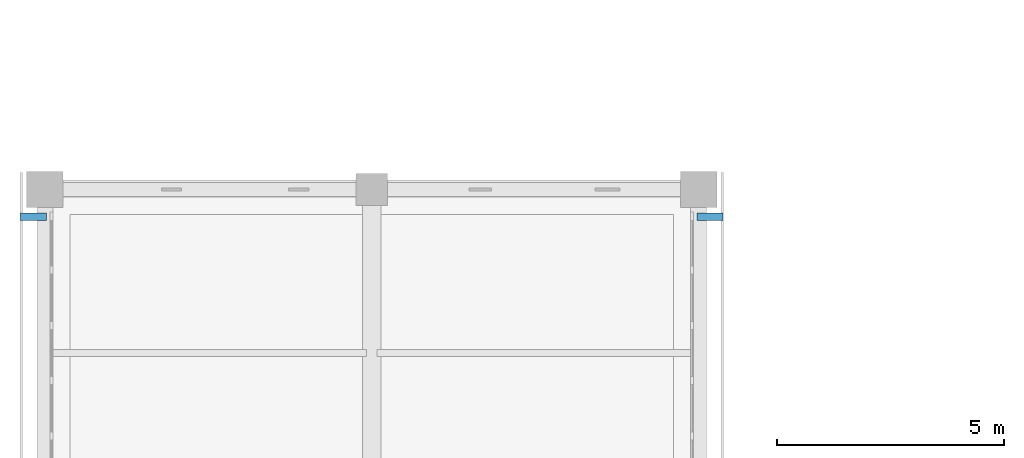
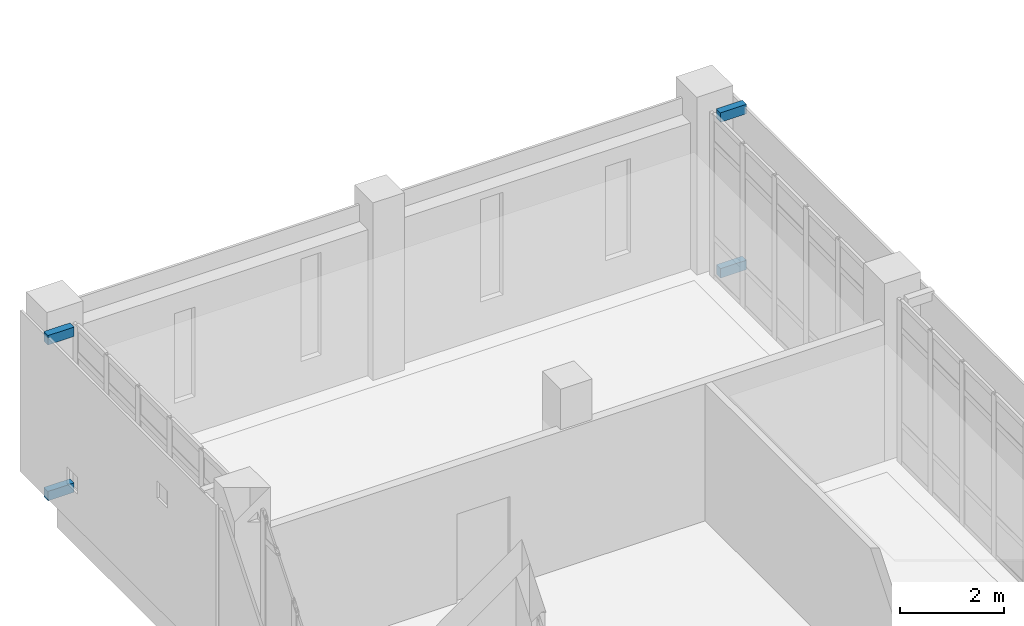
# One storey, part 28 of 33: 4 discrete accessories.
"""IFC4 building model written with IfcOpenShell, lengths in metres."""

import ifcopenshell
import ifcopenshell.guid

model = None  # the IFC model being written
_history = None  # IfcOwnerHistory: only IFC2X3 demands one
_inside = {}  # id of a spatial element -> (the spatial element, [elements in it])
_under = {}  # id of a project, library or spatial element -> (it, [spatial elements below it])
_declared = {}  # id of a project -> (the project, [libraries it declares])
_typed = {}  # id of a type object -> (the type object, [elements of that type])
_made_of = {}  # id of a material, layer set ... -> (it, [elements and type objects made of it])


def new_model(schema):
    """Start an empty IFC model of exactly this schema.

    Asked for "IFC4X3", IfcOpenShell would pick the latest addendum, in which some entities
    have other attributes; the version numbers below select the first issue.
    IFC2X3 requires an IfcOwnerHistory on every rooted entity: one is made here for all.
    """
    global model, _history
    if schema == "IFC4X3":
        model = ifcopenshell.file(schema_version=(4, 3, 0, 0))
    else:
        model = ifcopenshell.file(schema=schema)
    _inside.clear()
    _under.clear()
    _declared.clear()
    _typed.clear()
    _made_of.clear()
    _history = None
    if model.schema == "IFC2X3":
        org = make("IfcOrganization", Name="unknown")
        user = make(
            "IfcPersonAndOrganization",
            ThePerson=make("IfcPerson", FamilyName="unknown"),
            TheOrganization=org,
        )
        app = make(
            "IfcApplication",
            ApplicationDeveloper=org,
            Version="unknown",
            ApplicationFullName="unknown",
            ApplicationIdentifier="unknown",
        )
        _history = make(
            "IfcOwnerHistory",
            OwningUser=user,
            OwningApplication=app,
            ChangeAction="ADDED",
            CreationDate=0,
        )
    return model


def make(cls, **values):
    """One entity of the class cls with the attributes given. An attribute that is None is left unset."""
    return model.create_entity(
        cls, **{name: value for name, value in values.items() if value is not None}
    )


def rooted(cls, **values):
    """An entity with a GlobalId (a new one), such as an element, a storey or a relation."""
    return make(cls, GlobalId=ifcopenshell.guid.new(), OwnerHistory=_history, **values)


def si_unit(unit_type, name, prefix=None):
    """IfcSIUnit, for example si_unit("LENGTHUNIT", "METRE", prefix="MILLI")."""
    return make("IfcSIUnit", UnitType=unit_type, Prefix=prefix, Name=name)


def assignment(units):
    """IfcUnitAssignment: the units of a project."""
    return None if units is None else make("IfcUnitAssignment", Units=units)


def point(xyz):
    """IfcCartesianPoint."""
    return None if xyz is None else make("IfcCartesianPoint", Coordinates=xyz)


def direction(xyz):
    """IfcDirection."""
    return None if xyz is None else make("IfcDirection", DirectionRatios=xyz)


def frame(location, z_axis=None, x_axis=None):
    """IfcAxis2Placement3D, a coordinate frame: its origin and axes. An axis left out is left unset."""
    return make(
        "IfcAxis2Placement3D",
        Location=point(location),
        Axis=direction(z_axis),
        RefDirection=direction(x_axis),
    )


def frame_2d(location, x_axis=None):
    """IfcAxis2Placement2D, a coordinate frame in the plane: its origin and x axis."""
    return make(
        "IfcAxis2Placement2D", Location=point(location), RefDirection=direction(x_axis)
    )


def origin():
    """The frame at (0, 0, 0) with its axes left unset."""
    return frame((0.0, 0.0, 0.0))


def origin_2d():
    """The frame at (0, 0) in the plane with its x axis left unset."""
    return frame_2d((0.0, 0.0))


def place(relative_to, where):
    """IfcLocalPlacement: puts the frame where relative to a parent placement (None: the world)."""
    return make(
        "IfcLocalPlacement", PlacementRelTo=relative_to, RelativePlacement=where
    )


def context(
    kind, dimensions, precision=None, world=None, true_north=None, identifier=None
):
    """IfcGeometricRepresentationContext, for example the 3D "Model" context."""
    return make(
        "IfcGeometricRepresentationContext",
        ContextIdentifier=identifier,
        ContextType=kind,
        CoordinateSpaceDimension=dimensions,
        Precision=precision,
        WorldCoordinateSystem=world,
        TrueNorth=true_north,
    )


def subcontext(parent, identifier, kind, view, scale=None):
    """IfcGeometricRepresentationSubContext, for example "Body" below "Model"."""
    return make(
        "IfcGeometricRepresentationSubContext",
        ContextIdentifier=identifier,
        ContextType=kind,
        ParentContext=parent,
        TargetScale=scale,
        TargetView=view,
    )


def project(units=None, contexts=None):
    """IfcProject with its units and contexts."""
    return rooted(
        "IfcProject",
        Name="project",
        RepresentationContexts=contexts,
        UnitsInContext=assignment(units),
    )


def spatial(cls, under=None, at=None, **own):
    """A site, building, storey or space (cls), placed at a placement, below another one or the project."""
    s = rooted(cls, ObjectPlacement=at, **own)
    if under is not None:
        _under.setdefault(under.id(), (under, []))[1].append(s)
    return s


def profile(cls, at=None, kind="AREA", **sizes):
    """A parametric profile (cls). Its sizes go by their IFC names, for example OverallWidth=200.0."""
    return make(cls, ProfileType=kind, Position=at, **sizes)


def rectangle(**sizes):
    """IfcRectangleProfileDef."""
    return profile("IfcRectangleProfileDef", **sizes)


def extrude(swept, where, along, depth):
    """IfcExtrudedAreaSolid: the profile swept, set in the frame where, extruded along a direction by depth."""
    return make(
        "IfcExtrudedAreaSolid",
        SweptArea=swept,
        Position=where,
        ExtrudedDirection=direction(along),
        Depth=depth,
    )


def shape(context_of_items, identifier, shape_type, items):
    """IfcShapeRepresentation: the items that make up one representation, for example the "Body"."""
    return make(
        "IfcShapeRepresentation",
        ContextOfItems=context_of_items,
        RepresentationIdentifier=identifier,
        RepresentationType=shape_type,
        Items=items,
    )


def material(Name=None, Category=None):
    """IfcMaterial."""
    return make("IfcMaterial", Name=Name, Category=Category)


def made_of(thing, what):
    """Note that an element or type object is made of a material, layer set ...; save() writes the relation."""
    if what is not None:
        _made_of.setdefault(what.id(), (what, []))[1].append(thing)
    return thing


def type_object(cls, material=None, **own):
    """A type object (cls), such as IfcWallType, which elements share."""
    return made_of(rooted(cls, **own), material)


def element(
    cls,
    number,
    at=None,
    inside=None,
    cuts=None,
    type_object=None,
    material=None,
    context=None,
    identifier="Body",
    shape_type=None,
    held_by="IfcProductDefinitionShape",
    body=None,
    shapes=None,
    **own,
):
    """One element of the class cls, such as IfcWall. Its Tag is "e" and its number.

    at: its placement. inside: the storey or other place that contains it. cuts: it is an
    opening in that element (IfcRelVoidsElement). A single representation is given by context,
    identifier, shape_type and body (its items); several are given by shapes. held_by: the class
    of the entity that holds the representations. save() writes the other relations.
    """
    e = rooted(cls, Tag="e%d" % number, ObjectPlacement=at, **own)
    if body is not None:
        shapes = [shape(context, identifier, shape_type, body)]
    if shapes is not None:
        e.Representation = make(held_by, Representations=shapes)
    if inside is not None:
        _inside.setdefault(inside.id(), (inside, []))[1].append(e)
    if cuts is not None:
        rooted(
            "IfcRelVoidsElement", RelatingBuildingElement=cuts, RelatedOpeningElement=e
        )
    if type_object is not None:
        _typed.setdefault(type_object.id(), (type_object, []))[1].append(e)
    return made_of(e, material)


def aggregate(whole, parts):
    """IfcRelAggregates: a whole, such as a stair, and the parts it consists of."""
    return rooted("IfcRelAggregates", RelatingObject=whole, RelatedObjects=parts)


def save(model, path):
    """Write the relations noted so far, then the file.

    IfcRelAggregates (storeys below a building ...), IfcRelContainedInSpatialStructure (elements
    in a storey), IfcRelDefinesByType, IfcRelAssociatesMaterial and IfcRelDeclares: one each for
    every whole, place, type object, material and project.
    """
    for whole, parts in _under.values():
        aggregate(whole, parts)
    for where, things in _inside.values():
        rooted(
            "IfcRelContainedInSpatialStructure",
            RelatedElements=things,
            RelatingStructure=where,
        )
    for kind, things in _typed.values():
        rooted("IfcRelDefinesByType", RelatedObjects=things, RelatingType=kind)
    for what, things in _made_of.values():
        rooted("IfcRelAssociatesMaterial", RelatedObjects=things, RelatingMaterial=what)
    for by, libraries in _declared.values():
        rooted("IfcRelDeclares", RelatingContext=by, RelatedDefinitions=libraries)
    model.write(path)


model = new_model("IFC4")

# Units and contexts
model_context = context("Model", 3, precision=1e-05, world=origin(), true_north=direction((0.0, 1.0)))
body_context = subcontext(model_context, "Body", "Model", "MODEL_VIEW")
ifc_project = project(units=[si_unit("LENGTHUNIT", "METRE"), si_unit("AREAUNIT", "SQUARE_METRE"), si_unit("VOLUMEUNIT", "CUBIC_METRE"), si_unit("PLANEANGLEUNIT", "RADIAN"), si_unit("MASSUNIT", "GRAM", prefix="KILO")], contexts=[model_context])

# Site, building, storey
site_placement = place(None, origin())
site = spatial("IfcSite", under=ifc_project, at=site_placement, CompositionType="ELEMENT")
building_placement = place(site_placement, origin())
building = spatial("IfcBuilding", under=site, at=building_placement, Name="Valkovuoma Quantum and Materials Research Institute", CompositionType="ELEMENT")
storey_placement = place(building_placement, frame((0.0, 0.0, 25.60009765625)))
storey = spatial("IfcBuildingStorey", under=building, at=storey_placement, Name="L06", CompositionType="ELEMENT", Elevation=25.60009765625)

# Discrete accessories
ifc_material = material(Name="Steel S355J2", Category="steel")
discrete_accessory_type = type_object("IfcDiscreteAccessoryType", Name="Brk-BRK-01", PredefinedType="BRACKET", material=ifc_material)
for number, where, z_axis, x_axis, name in (
    (1, (-0.25, 93.0, -0.0302734375), (0.0, 0.0, 1.0), (1.0, 0.0, 0.0), "L06 screen bracket 00374"),
    (2, (-0.25, 93.0, 3.6201171875), (0.0, 0.0, 1.0), (1.0, 0.0, 0.0), "L06 screen bracket 00376"),
    (3, (14.64990234375, 93.0, -0.0302734375), (0.0, 0.0, 1.0), (1.0, 0.0, 0.0), "L06 screen bracket 00378"),
    (4, (14.64990234375, 93.0, 3.6201171875), (0.0, 0.0, 1.0), (1.0, 0.0, 0.0), "L06 screen bracket 00380"),
):
    element("IfcDiscreteAccessory", number, at=place(storey_placement, frame(where, z_axis=z_axis, x_axis=x_axis)), inside=storey, type_object=discrete_accessory_type, Name=name, PredefinedType="BRACKET", context=body_context, shape_type="SweptSolid", body=[
        extrude(rectangle(XDim=0.580078125, YDim=0.159912109375, at=origin_2d()), origin(), (0.0, 0.0, 1.0), 0.219970703125),
    ])

save(model, "model.ifc")
